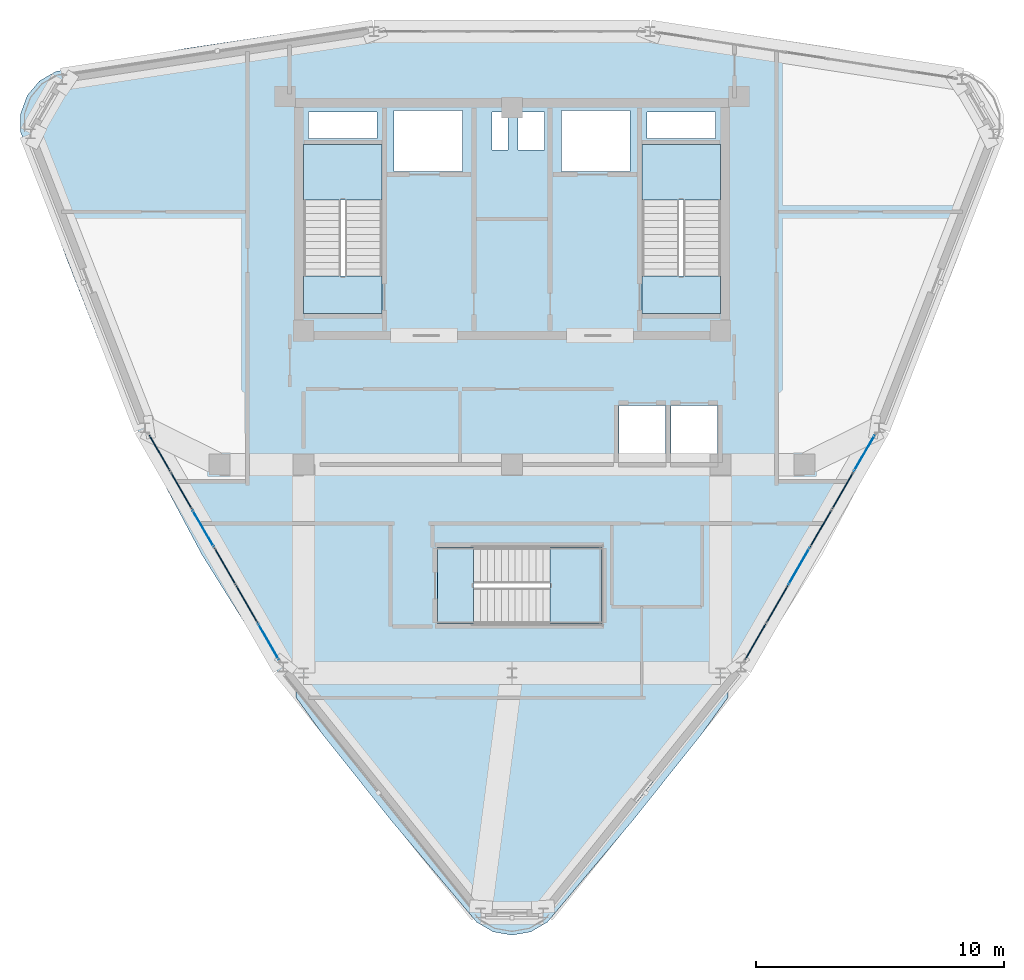
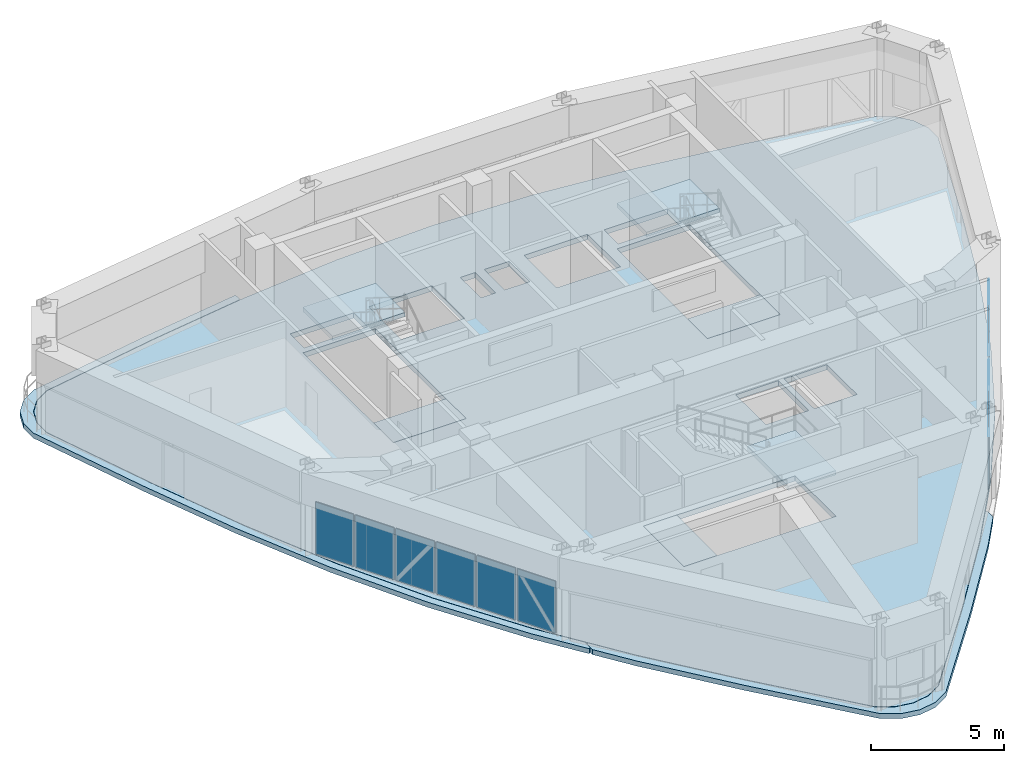
# One storey, part 11 of 17: 12 plates, 9 slabs, 5 elements without a shape of their own.
"""IFC4 building model written with IfcOpenShell, lengths in metres."""

from ifc_helpers import new_model, si_unit, derived_unit, direction, frame, origin, origin_2d, place, context, subcontext, project, spatial, polyline, rectangle, outline, extrude, source, transform, mapped, material, layer, layer_set, type_object, element, aggregate, save


model = new_model("IFC4")

# Units and contexts
model_context = context("Model", 3, precision=1e-05, world=origin(), true_north=direction((0.0, 1.0)))
body_context = subcontext(model_context, "Body", "Model", "MODEL_VIEW")
ifc_project = project(units=[si_unit("LENGTHUNIT", "METRE"), si_unit("AREAUNIT", "SQUARE_METRE"), si_unit("VOLUMEUNIT", "CUBIC_METRE"), si_unit("PLANEANGLEUNIT", "RADIAN"), si_unit("MASSUNIT", "GRAM", prefix="KILO"), derived_unit("THERMALTRANSMITTANCEUNIT", [(si_unit("POWERUNIT", "WATT"), 1), (si_unit("LENGTHUNIT", "METRE"), -2), (si_unit("THERMODYNAMICTEMPERATUREUNIT", "KELVIN"), -1)])], contexts=[model_context])

# Site, building, storey
site_placement = place(None, origin())
site = spatial("IfcSite", under=ifc_project, at=site_placement, CompositionType="ELEMENT")
building_placement = place(site_placement, origin())
building = spatial("IfcBuilding", under=site, at=building_placement, Name="Korsvarv Bourse and Concert Hall", CompositionType="ELEMENT")
storey_placement = place(building_placement, frame((0.0, 0.0, 279.60009765625)))
storey = spatial("IfcBuildingStorey", under=building, at=storey_placement, Name="L73", CompositionType="ELEMENT", Elevation=279.60009765625)

# Slabs
ifc_material_1 = material(Name="Precast concrete C45/55", Category="concrete")
ifc_layer_1 = layer(ifc_material_1, 0.199951171875)
ifc_layer_set_1 = layer_set([ifc_layer_1], Name="Precast concrete C45/55")
slab_type_1 = type_object("IfcSlabType", Name="SLB-FLND-T", PredefinedType="LANDING", material=ifc_layer_set_1)
slab_1_placement = place(storey_placement, frame((0.0, 0.0, -0.2001953125)))
element("IfcSlab", 1, at=slab_1_placement, inside=storey, type_object=slab_type_1, Name="L73 Stair ST-T1 Floor Landing Slab", PredefinedType="LANDING", context=body_context, shape_type="SweptSolid", body=[
    extrude(outline(polyline([(30.760009765625, 38.5), (30.760009765625, 40.0), (27.60009765625, 40.0), (27.60009765625, 38.5), (30.760009765625, 38.5)])), origin(), (0.0, 0.0, 1.0), 0.2001953125),
])
slab_2_placement = place(storey_placement, frame((0.0, 0.0, -0.2001953125)))
element("IfcSlab", 2, at=slab_2_placement, inside=storey, type_object=slab_type_1, Name="L73 Stair ST-T2 Floor Landing Slab", PredefinedType="LANDING", context=body_context, shape_type="SweptSolid", body=[
    extrude(outline(polyline([(44.39990234375, 38.5), (44.39990234375, 40.0), (41.239990234375, 40.0), (41.239990234375, 38.5), (44.39990234375, 38.5)])), origin(), (0.0, 0.0, 1.0), 0.2001953125),
])
slab_3_placement = place(storey_placement, frame((0.0, 0.0, -0.2001953125)))
element("IfcSlab", 3, at=slab_3_placement, inside=storey, type_object=slab_type_1, Name="L73 Stair ST-LK1 Floor Landing Slab", PredefinedType="LANDING", context=body_context, shape_type="SweptSolid", body=[
    extrude(outline(polyline([(33.0, 26.0), (34.449951171875, 26.0), (34.449951171875, 29.06005859375), (33.0, 29.06005859375), (33.0, 26.0)])), origin(), (0.0, 0.0, 1.0), 0.2001953125),
])
ifc_material_2 = material(Name="Concrete C45/55", Category="concrete")
ifc_layer_2 = layer(ifc_material_2, 0.239990234375)
ifc_layer_set_2 = layer_set([ifc_layer_2], Name="Concrete C45/55")
slab_type_2 = type_object("IfcSlabType", Name="SLB-LKT", PredefinedType="FLOOR", material=ifc_layer_set_2)
slab_4_placement = place(storey_placement, frame((0.0, 0.0, -0.239990234375)))
element("IfcSlab", 4, at=slab_4_placement, inside=storey, type_object=slab_type_2, Name="L73 tower structural floor slab", PredefinedType="FLOOR", context=body_context, shape_type="SweptSolid", body=[
    extrude(outline(polyline([(55.04150390625, 44.739990234375), (53.55126953125, 40.6357421875), (51.968505859375, 36.60986328125), (50.208251953125, 32.705810546875), (48.212158203125, 28.94921875), (45.956787109375, 25.34228515625), (43.456298828125, 21.865966796875), (40.760986328125, 18.482177734375), (37.951416015625, 15.138916015625), (37.374267578125, 14.451416015625), (36.731201171875, 14.080078125), (36.0, 13.951171875), (35.268798828125, 14.080078125), (34.625732421875, 14.451416015625), (34.04833984375, 15.139404296875), (31.239013671875, 18.482177734375), (28.543701171875, 21.865966796875), (26.043212890625, 25.34228515625), (23.787841796875, 28.94921875), (21.791748046875, 32.705810546875), (20.031494140625, 36.60986328125), (18.44873046875, 40.6357421875), (16.9580078125, 44.74072265625), (16.651123046875, 45.584228515625), (16.651123046875, 46.32666015625), (16.905029296875, 47.0244140625), (17.38232421875, 47.59326171875), (18.025390625, 47.964599609375), (18.91015625, 48.12060546875), (23.209716796875, 48.882080078125), (27.487548828125, 49.524169921875), (31.748779296875, 49.95166015625), (36.0, 50.1015625), (40.251220703125, 49.95166015625), (44.512451171875, 49.524169921875), (48.790283203125, 48.882080078125), (53.090576171875, 48.120361328125), (53.974609375, 47.964599609375), (54.61767578125, 47.59326171875), (55.094970703125, 47.0244140625), (55.348876953125, 46.32666015625), (55.348876953125, 45.584228515625), (55.04150390625, 44.739990234375)]), holes=[polyline([(30.760009765625, 38.5), (30.760009765625, 45.300048828125), (27.60009765625, 45.300048828125), (27.60009765625, 38.5), (30.760009765625, 38.5)]), polyline([(44.39990234375, 38.5), (44.39990234375, 45.300048828125), (41.239990234375, 45.300048828125), (41.239990234375, 38.5), (44.39990234375, 38.5)]), polyline([(33.0, 26.0), (39.60009765625, 26.0), (39.60009765625, 29.06005859375), (33.0, 29.06005859375), (33.0, 26.0)]), polyline([(31.239990234375, 44.219970703125), (34.0, 44.219970703125), (34.0, 46.679931640625), (31.239990234375, 46.679931640625), (31.239990234375, 44.219970703125)]), polyline([(38.0, 44.219970703125), (40.760009765625, 44.219970703125), (40.760009765625, 46.679931640625), (38.0, 46.679931640625), (38.0, 44.219970703125)]), polyline([(40.320068359375, 32.52001953125), (42.179931640625, 32.52001953125), (42.179931640625, 34.780029296875), (40.320068359375, 34.780029296875), (40.320068359375, 32.52001953125)]), polyline([(42.419921875, 32.52001953125), (44.280029296875, 32.52001953125), (44.280029296875, 34.780029296875), (42.419921875, 34.780029296875), (42.419921875, 32.52001953125)]), polyline([(27.800048828125, 45.56005859375), (30.56005859375, 45.56005859375), (30.56005859375, 46.6201171875), (27.800048828125, 46.6201171875), (27.800048828125, 45.56005859375)]), polyline([(41.43994140625, 45.56005859375), (44.199951171875, 45.56005859375), (44.199951171875, 46.6201171875), (41.43994140625, 46.6201171875), (41.43994140625, 45.56005859375)]), polyline([(35.199951171875, 45.080078125), (35.840087890625, 45.080078125), (35.840087890625, 46.6201171875), (35.199951171875, 46.6201171875), (35.199951171875, 45.080078125)]), polyline([(36.239990234375, 45.080078125), (37.320068359375, 45.080078125), (37.320068359375, 46.6201171875), (36.239990234375, 46.6201171875), (36.239990234375, 45.080078125)])]), origin(), (0.0, 0.0, 1.0), 0.239990234375),
])
ifc_layer_3 = layer(ifc_material_2, 0.22998046875)
ifc_layer_set_3 = layer_set([ifc_layer_3], Name="Concrete C45/55")
slab_type_3 = type_object("IfcSlabType", Name="SLB-SKY", PredefinedType="FLOOR", material=ifc_layer_set_3)
slab_5_placement = place(storey_placement, frame((0.0, 0.0, -0.22998046875)))
element("IfcSlab", 5, at=slab_5_placement, inside=storey, type_object=slab_type_3, Name="L73 Crescent Sky Garden Terrace 1", PredefinedType="FLOOR", context=body_context, shape_type="SweptSolid", body=[
    extrude(outline(polyline([(16.6416015625, 45.580810546875), (16.641845703125, 45.580078125), (16.94873046875, 44.7373046875), (18.439208984375, 40.632568359375), (18.439208984375, 40.63232421875), (18.439453125, 40.6318359375), (20.02197265625, 36.6064453125), (20.022216796875, 36.60595703125), (20.022705078125, 36.605224609375), (21.782470703125, 32.702392578125), (21.78271484375, 32.701416015625), (21.783203125, 32.70068359375), (23.77880859375, 28.945068359375), (23.779052734375, 28.9443359375), (23.779541015625, 28.943603515625), (26.034423828125, 25.33740234375), (26.034912109375, 25.3369140625), (26.035400390625, 25.336181640625), (27.288818359375, 23.593505859375), (27.2919921875, 23.58837890625), (27.294921875, 23.582763671875), (27.297119140625, 23.576904296875), (27.298583984375, 23.57080078125), (27.2998046875, 23.564697265625), (27.300048828125, 23.55859375), (27.300048828125, 23.194580078125), (27.2998046875, 23.188720703125), (27.298828125, 23.18310546875), (27.297607421875, 23.177490234375), (27.295654296875, 23.171875), (27.293212890625, 23.16650390625), (27.290283203125, 23.16162109375), (27.28662109375, 23.156982421875), (27.282958984375, 23.152587890625), (27.278564453125, 23.148681640625), (27.27392578125, 23.14501953125), (27.26904296875, 23.14208984375), (27.263916015625, 23.139404296875), (27.25830078125, 23.137451171875), (27.252685546875, 23.135986328125), (27.2470703125, 23.135009765625), (27.2412109375, 23.134521484375), (27.235595703125, 23.134765625), (27.229736328125, 23.135498046875), (27.22412109375, 23.13671875), (27.218505859375, 23.138671875), (27.213134765625, 23.140869140625), (27.2080078125, 23.143798828125), (27.203369140625, 23.147216796875), (27.198974609375, 23.15087890625), (27.19482421875, 23.155029296875), (27.19140625, 23.159423828125), (25.802978515625, 25.089111328125), (25.801025390625, 25.09228515625), (23.49609375, 28.778564453125), (23.494140625, 28.7822265625), (21.454345703125, 32.62109375), (21.45263671875, 32.62451171875), (19.653564453125, 36.614501953125), (19.652587890625, 36.6171875), (18.034423828125, 40.732666015625), (18.033935546875, 40.734130859375), (16.510009765625, 44.930908203125), (16.198486328125, 45.787109375), (16.19677734375, 45.7919921875), (16.19580078125, 45.797119140625), (16.195068359375, 45.80224609375), (16.19482421875, 45.8076171875), (16.19482421875, 46.552490234375), (16.195068359375, 46.5576171875), (16.19580078125, 46.56298828125), (16.19677734375, 46.568115234375), (16.198486328125, 46.572998046875), (16.453369140625, 47.273193359375), (16.455322265625, 47.278076171875), (16.457763671875, 47.28271484375), (16.46044921875, 47.287109375), (16.463623046875, 47.291259765625), (16.942626953125, 47.862060546875), (16.946044921875, 47.865966796875), (16.949951171875, 47.869384765625), (16.9541015625, 47.872802734375), (16.95849609375, 47.87548828125), (17.60400390625, 48.248046875), (17.608642578125, 48.25048828125), (17.61328125, 48.25244140625), (17.618408203125, 48.25390625), (17.62353515625, 48.255126953125), (18.521240234375, 48.41357421875), (22.9169921875, 49.192138671875), (22.918701171875, 49.1923828125), (27.231201171875, 49.839599609375), (27.23681640625, 49.84033203125), (27.242431640625, 49.84033203125), (27.248291015625, 49.83984375), (27.25390625, 49.838623046875), (27.259521484375, 49.837158203125), (27.2646484375, 49.8349609375), (27.269775390625, 49.83251953125), (27.274658203125, 49.829345703125), (27.279296875, 49.82568359375), (27.283203125, 49.822021484375), (27.287109375, 49.8173828125), (27.290283203125, 49.81298828125), (27.293212890625, 49.807861328125), (27.295654296875, 49.802734375), (27.297607421875, 49.79736328125), (27.298828125, 49.791748046875), (27.2998046875, 49.7861328125), (27.300048828125, 49.7802734375), (27.300048828125, 49.557861328125), (27.2998046875, 49.5517578125), (27.298828125, 49.5458984375), (27.297119140625, 49.539794921875), (27.295166015625, 49.5341796875), (27.29248046875, 49.52880859375), (27.289306640625, 49.5234375), (27.285400390625, 49.518798828125), (27.28125, 49.514404296875), (27.276611328125, 49.51025390625), (27.271484375, 49.5068359375), (27.266357421875, 49.50390625), (27.2607421875, 49.50146484375), (27.2548828125, 49.499755859375), (27.248779296875, 49.49853515625), (23.208251953125, 48.891845703125), (23.2080078125, 48.891845703125), (23.20751953125, 48.891845703125), (18.908447265625, 48.13037109375), (18.0244140625, 47.974609375), (18.023681640625, 47.974365234375), (18.0224609375, 47.97412109375), (18.021484375, 47.9736328125), (18.020263671875, 47.97314453125), (18.019775390625, 47.972900390625), (17.3779296875, 47.602294921875), (17.37744140625, 47.60205078125), (17.376220703125, 47.601318359375), (17.375732421875, 47.6005859375), (17.374755859375, 47.599609375), (17.374267578125, 47.59912109375), (16.897705078125, 47.03125), (16.8974609375, 47.031005859375), (16.896728515625, 47.02978515625), (16.896240234375, 47.029052734375), (16.8955078125, 47.02783203125), (16.8955078125, 47.027099609375), (16.641845703125, 46.330810546875), (16.6416015625, 46.330078125), (16.641357421875, 46.328857421875), (16.64111328125, 46.327880859375), (16.64111328125, 46.32666015625), (16.64111328125, 46.326171875), (16.64111328125, 45.584716796875), (16.64111328125, 45.584228515625), (16.64111328125, 45.5830078125), (16.641357421875, 45.58203125), (16.6416015625, 45.580810546875)])), origin(), (0.0, 0.0, 1.0), 0.22998046875),
])
slab_6_placement = place(storey_placement, frame((0.0, 0.0, -0.22998046875)))
element("IfcSlab", 6, at=slab_6_placement, inside=storey, type_object=slab_type_3, Name="L73 Crescent Sky Garden Terrace 3", PredefinedType="FLOOR", context=body_context, shape_type="SweptSolid", body=[
    extrude(outline(polyline([(34.61962890625, 14.443359375), (34.620849609375, 14.442626953125), (34.621337890625, 14.4423828125), (35.26318359375, 14.07177734375), (35.263671875, 14.0712890625), (35.264892578125, 14.07080078125), (35.265625, 14.070556640625), (35.26708984375, 14.070068359375), (35.267578125, 14.070068359375), (35.99755859375, 13.94140625), (35.998291015625, 13.941162109375), (35.99951171875, 13.941162109375), (36.00048828125, 13.941162109375), (36.001708984375, 13.941162109375), (36.00244140625, 13.94140625), (36.732421875, 14.070068359375), (36.73291015625, 14.070068359375), (36.734375, 14.070556640625), (36.735107421875, 14.07080078125), (36.736328125, 14.0712890625), (36.73681640625, 14.07177734375), (37.378662109375, 14.4423828125), (37.379150390625, 14.442626953125), (37.38037109375, 14.443359375), (37.381103515625, 14.444091796875), (37.382080078125, 14.44482421875), (37.38232421875, 14.4453125), (37.958984375, 15.132568359375), (40.768310546875, 18.4755859375), (40.7685546875, 18.475830078125), (40.768798828125, 18.476318359375), (43.4638671875, 21.859375), (43.464111328125, 21.859619140625), (43.464599609375, 21.8603515625), (44.59130859375, 23.4267578125), (44.594970703125, 23.431396484375), (44.598876953125, 23.435546875), (44.603515625, 23.439208984375), (44.608154296875, 23.442626953125), (44.61328125, 23.4453125), (44.618408203125, 23.44775390625), (44.6240234375, 23.44970703125), (44.629638671875, 23.45068359375), (44.635498046875, 23.451416015625), (44.641357421875, 23.45166015625), (44.647216796875, 23.451416015625), (44.65283203125, 23.4501953125), (44.658447265625, 23.44873046875), (44.663818359375, 23.44677734375), (44.669189453125, 23.444091796875), (44.674072265625, 23.441162109375), (44.6787109375, 23.4375), (44.682861328125, 23.43359375), (44.686767578125, 23.42919921875), (44.690185546875, 23.4248046875), (44.693115234375, 23.419677734375), (44.695556640625, 23.414306640625), (44.697509765625, 23.408935546875), (44.698974609375, 23.4033203125), (44.69970703125, 23.3974609375), (44.699951171875, 23.3916015625), (44.699951171875, 23.02783203125), (44.69970703125, 23.021484375), (44.69873046875, 23.015380859375), (44.697021484375, 23.009521484375), (44.69482421875, 23.00341796875), (44.692138671875, 22.998046875), (44.688720703125, 22.99267578125), (43.64111328125, 21.536376953125), (43.639404296875, 21.533935546875), (40.88427734375, 18.0751953125), (40.88330078125, 18.073974609375), (38.010498046875, 14.65576171875), (37.425048828125, 13.9580078125), (37.42138671875, 13.9541015625), (37.41748046875, 13.950439453125), (37.41357421875, 13.947265625), (37.408935546875, 13.944580078125), (36.763916015625, 13.572021484375), (36.75927734375, 13.569580078125), (36.75439453125, 13.567626953125), (36.74951171875, 13.56591796875), (36.744384765625, 13.56494140625), (36.010498046875, 13.435302734375), (36.005126953125, 13.434814453125), (36.0, 13.4345703125), (35.994873046875, 13.434814453125), (35.989501953125, 13.435302734375), (35.255615234375, 13.56494140625), (35.25048828125, 13.56591796875), (35.24560546875, 13.567626953125), (35.24072265625, 13.569580078125), (35.236083984375, 13.572021484375), (34.591064453125, 13.944580078125), (34.58642578125, 13.947265625), (34.58251953125, 13.950439453125), (34.57861328125, 13.9541015625), (34.574951171875, 13.9580078125), (33.989013671875, 14.65625), (31.11669921875, 18.073974609375), (31.11572265625, 18.0751953125), (28.360595703125, 21.533935546875), (28.35888671875, 21.536376953125), (27.311279296875, 22.99267578125), (27.307861328125, 22.998046875), (27.30517578125, 23.00341796875), (27.302978515625, 23.009521484375), (27.30126953125, 23.015380859375), (27.30029296875, 23.021484375), (27.300048828125, 23.02783203125), (27.300048828125, 23.3916015625), (27.30029296875, 23.3974609375), (27.301025390625, 23.4033203125), (27.302490234375, 23.408935546875), (27.304443359375, 23.414306640625), (27.306884765625, 23.419677734375), (27.309814453125, 23.4248046875), (27.313232421875, 23.42919921875), (27.317138671875, 23.43359375), (27.3212890625, 23.4375), (27.325927734375, 23.441162109375), (27.330810546875, 23.444091796875), (27.336181640625, 23.44677734375), (27.341552734375, 23.44873046875), (27.34716796875, 23.4501953125), (27.352783203125, 23.451416015625), (27.358642578125, 23.45166015625), (27.364501953125, 23.451416015625), (27.370361328125, 23.45068359375), (27.3759765625, 23.44970703125), (27.381591796875, 23.44775390625), (27.38671875, 23.4453125), (27.391845703125, 23.442626953125), (27.396484375, 23.439208984375), (27.401123046875, 23.435546875), (27.405029296875, 23.431396484375), (27.40869140625, 23.4267578125), (28.535400390625, 21.8603515625), (28.53564453125, 21.860107421875), (28.5361328125, 21.859375), (31.231201171875, 18.47607421875), (31.231201171875, 18.47607421875), (31.231689453125, 18.4755859375), (34.04052734375, 15.133056640625), (34.61767578125, 14.4453125), (34.617919921875, 14.44482421875), (34.618896484375, 14.444091796875), (34.61962890625, 14.443359375)])), origin(), (0.0, 0.0, 1.0), 0.22998046875),
])

# Stair, slab
stair_type_1 = type_object("IfcStairType", Name="STR-TYPE-05", PredefinedType="HALF_TURN_STAIR", material=ifc_material_1)
stair_1_placement = place(storey_placement, origin())
stair_1 = element("IfcStair", 7, at=stair_1_placement, inside=storey, type_object=stair_type_1, Name="L73 Tower West Exit Stair ST-T1", PredefinedType="HALF_TURN_STAIR")
ifc_layer_4 = layer(ifc_material_1, 0.199951171875)
ifc_layer_set_4 = layer_set([ifc_layer_4], Name="Precast concrete C45/55")
slab_type_4 = type_object("IfcSlabType", Name="SLB-ST-LND", PredefinedType="LANDING", material=ifc_layer_set_4)
slab_7_placement = place(storey_placement, frame((0.0, 0.0, 1.89990234375)))
slab_7 = element("IfcSlab", 8, at=slab_7_placement, type_object=slab_type_4, Name="ST-T1 landing 1", PredefinedType="LANDING", context=body_context, shape_type="SweptSolid", body=[
    extrude(outline(polyline([(30.760009765625, 43.080078125), (30.760009765625, 45.300048828125), (27.60009765625, 45.300048828125), (27.60009765625, 43.080078125), (30.760009765625, 43.080078125)])), origin(), (0.0, 0.0, 1.0), 0.199951171875),
])
aggregate(stair_1, [slab_7])

stair_2_placement = place(storey_placement, origin())
stair_2 = element("IfcStair", 9, at=stair_2_placement, inside=storey, type_object=stair_type_1, Name="L73 Tower East Exit Stair ST-T2", PredefinedType="HALF_TURN_STAIR")
slab_8_placement = place(storey_placement, frame((0.0, 0.0, 1.89990234375)))
slab_8 = element("IfcSlab", 10, at=slab_8_placement, type_object=slab_type_4, Name="ST-T2 landing 1", PredefinedType="LANDING", context=body_context, shape_type="SweptSolid", body=[
    extrude(outline(polyline([(44.39990234375, 43.080078125), (44.39990234375, 45.300048828125), (41.239990234375, 45.300048828125), (41.239990234375, 43.080078125), (44.39990234375, 43.080078125)])), origin(), (0.0, 0.0, 1.0), 0.199951171875),
])
aggregate(stair_2, [slab_8])

stair_type_2 = type_object("IfcStairType", Name="STR-TYPE-08", PredefinedType="HALF_TURN_STAIR", material=ifc_material_1)
stair_3_placement = place(storey_placement, origin())
stair_3 = element("IfcStair", 11, at=stair_3_placement, inside=storey, type_object=stair_type_2, Name="L73 Public Lookout Feature Stair ST-LK1", PredefinedType="HALF_TURN_STAIR")
slab_9_placement = place(storey_placement, frame((0.0, 0.0, 1.89990234375)))
slab_9 = element("IfcSlab", 12, at=slab_9_placement, type_object=slab_type_4, Name="ST-LK1 landing 1", PredefinedType="LANDING", context=body_context, shape_type="SweptSolid", body=[
    extrude(outline(polyline([(37.530029296875, 26.0), (39.60009765625, 26.0), (39.60009765625, 29.06005859375), (37.530029296875, 29.06005859375), (37.530029296875, 26.0)])), origin(), (0.0, 0.0, 1.0), 0.199951171875),
])
aggregate(stair_3, [slab_9])

# Curtain wall, plate
ifc_material_3 = material(Name="Anodised aluminium and triple low-E glazing", Category="glass")
ifc_layer_5 = layer(ifc_material_3, 0.18994140625)
ifc_layer_set_5 = layer_set([ifc_layer_5], Name="Anodised aluminium and triple low-E glazing")
curtain_wall_type = type_object("IfcCurtainWallType", Name="CW-SYS-4", PredefinedType="NOTDEFINED", material=ifc_layer_set_5)
curtain_wall_1_placement = place(storey_placement, origin())
curtain_wall_1 = element("IfcCurtainWall", 13, at=curtain_wall_1_placement, inside=storey, type_object=curtain_wall_type, Name="L73 CW4 curtain wall CW-L73-F07", PredefinedType="NOTDEFINED")
ifc_material_4 = material(Name="Tempered triple insulated low-E architectural glass", Category="glass")
ifc_layer_6 = layer(ifc_material_4, 0.0419921875)
ifc_layer_set_6 = layer_set([ifc_layer_6], Name="Tempered triple insulated low-E architectural glass")
plate_type_1 = type_object("IfcPlateType", Name="CWP-VIS3", PredefinedType="CURTAIN_PANEL", material=ifc_layer_set_6)
shared_shape_1 = source(origin(), body_context, "Body", "SweptSolid", [
    extrude(rectangle(XDim=1.655517578125, YDim=0.0419921875, at=origin_2d()), origin(), (0.0, 0.0, 1.0), 2.389892578125),
])
plate_1_placement = place(storey_placement, frame((21.79833984375, 32.862548828125, 0.06494140625), z_axis=(0.0, 0.0, 1.0), x_axis=(0.499998078822, -0.866026512974, 0.0)))
plate_1 = element("IfcPlate", 14, at=plate_1_placement, type_object=plate_type_1, Name="CW4 faceted panel 1.1", PredefinedType="CURTAIN_PANEL", context=body_context, shape_type="MappedRepresentation", body=[
    mapped(shared_shape_1, transform((0.0, 0.0, 0.0), scale=1.0)),
])

curtain_wall_2_placement = place(storey_placement, origin())
curtain_wall_2 = element("IfcCurtainWall", 15, at=curtain_wall_2_placement, inside=storey, type_object=curtain_wall_type, Name="L73 CW4 curtain wall CW-L73-F11", PredefinedType="NOTDEFINED")
plate_2_placement = place(storey_placement, frame((45.818115234375, 25.269775390625, 0.06494140625), z_axis=(0.0, 0.0, 1.0), x_axis=(0.499998078822, 0.866026512974, 0.0)))
plate_2 = element("IfcPlate", 16, at=plate_2_placement, type_object=plate_type_1, Name="CW4 faceted panel 1.1", PredefinedType="CURTAIN_PANEL", context=body_context, shape_type="MappedRepresentation", body=[
    mapped(shared_shape_1, transform((0.0, 0.0, 0.0), scale=1.0)),
])

# Plate
shared_shape_2 = source(origin(), body_context, "Body", "SweptSolid", [
    extrude(rectangle(XDim=1.6904296875, YDim=0.0419921875, at=origin_2d()), origin(), (0.0, 0.0, 1.0), 2.389892578125),
])
plate_3_placement = place(storey_placement, frame((22.669677734375, 31.35302734375, 0.06494140625), z_axis=(0.0, 0.0, 1.0), x_axis=(0.499998078822, -0.866026512974, 0.0)))
plate_3 = element("IfcPlate", 17, at=plate_3_placement, type_object=plate_type_1, Name="CW4 faceted panel 2.1", PredefinedType="CURTAIN_PANEL", context=body_context, shape_type="MappedRepresentation", body=[
    mapped(shared_shape_2, transform((0.0, 0.0, 0.0), scale=1.0)),
])

plate_4_placement = place(storey_placement, frame((24.43017578125, 28.3037109375, 0.06494140625), z_axis=(0.0, 0.0, 1.0), x_axis=(0.499998078822, -0.866026512974, 0.0)))
plate_4 = element("IfcPlate", 18, at=plate_4_placement, type_object=plate_type_1, Name="CW4 faceted panel 4.1", PredefinedType="CURTAIN_PANEL", context=body_context, shape_type="MappedRepresentation", body=[
    mapped(shared_shape_2, transform((0.0, 0.0, 0.0), scale=1.0)),
])

plate_5_placement = place(storey_placement, frame((25.310546875, 26.779052734375, 0.06494140625), z_axis=(0.0, 0.0, 1.0), x_axis=(0.499998078822, -0.866026512974, 0.0)))
plate_5 = element("IfcPlate", 19, at=plate_5_placement, type_object=plate_type_1, Name="CW4 faceted panel 5.1", PredefinedType="CURTAIN_PANEL", context=body_context, shape_type="MappedRepresentation", body=[
    mapped(shared_shape_2, transform((0.0, 0.0, 0.0), scale=1.0)),
])

plate_6_placement = place(storey_placement, frame((46.689453125, 26.779052734375, 0.06494140625), z_axis=(0.0, 0.0, 1.0), x_axis=(0.499998078822, 0.866026512974, 0.0)))
plate_6 = element("IfcPlate", 20, at=plate_6_placement, type_object=plate_type_1, Name="CW4 faceted panel 2.1", PredefinedType="CURTAIN_PANEL", context=body_context, shape_type="MappedRepresentation", body=[
    mapped(shared_shape_2, transform((0.0, 0.0, 0.0), scale=1.0)),
])

plate_7_placement = place(storey_placement, frame((48.449951171875, 29.828369140625, 0.06494140625), z_axis=(0.0, 0.0, 1.0), x_axis=(0.499998078822, 0.866026512974, 0.0)))
plate_7 = element("IfcPlate", 21, at=plate_7_placement, type_object=plate_type_1, Name="CW4 faceted panel 4.1", PredefinedType="CURTAIN_PANEL", context=body_context, shape_type="MappedRepresentation", body=[
    mapped(shared_shape_2, transform((0.0, 0.0, 0.0), scale=1.0)),
])

plate_8_placement = place(storey_placement, frame((49.330322265625, 31.35302734375, 0.06494140625), z_axis=(0.0, 0.0, 1.0), x_axis=(0.499998078822, 0.866026512974, 0.0)))
plate_8 = element("IfcPlate", 22, at=plate_8_placement, type_object=plate_type_1, Name="CW4 faceted panel 5.1", PredefinedType="CURTAIN_PANEL", context=body_context, shape_type="MappedRepresentation", body=[
    mapped(shared_shape_2, transform((0.0, 0.0, 0.0), scale=1.0)),
])

ifc_material_5 = material(Name="Insulated spandrel glass", Category="glass")
ifc_layer_7 = layer(ifc_material_5, 0.031982421875)
ifc_layer_set_7 = layer_set([ifc_layer_7], Name="Insulated spandrel glass")
plate_type_2 = type_object("IfcPlateType", Name="CWP-SPD1", PredefinedType="CURTAIN_PANEL", material=ifc_layer_set_7)
shared_shape_3 = source(origin(), body_context, "Body", "SweptSolid", [
    extrude(rectangle(XDim=1.6904296875, YDim=0.031982421875, at=origin_2d()), origin(), (0.0, 0.0, 1.0), 2.389892578125),
])
plate_9_placement = place(storey_placement, frame((23.550048828125, 29.828369140625, 0.06494140625), z_axis=(0.0, 0.0, 1.0), x_axis=(0.499998078822, -0.866026512974, 0.0)))
plate_9 = element("IfcPlate", 23, at=plate_9_placement, type_object=plate_type_2, Name="CW4 spandrel shadow-box panel 3.1", PredefinedType="CURTAIN_PANEL", context=body_context, shape_type="MappedRepresentation", body=[
    mapped(shared_shape_3, transform((0.0, 0.0, 0.0), scale=1.0)),
])

plate_10_placement = place(storey_placement, frame((47.56982421875, 28.3037109375, 0.06494140625), z_axis=(0.0, 0.0, 1.0), x_axis=(0.499998078822, 0.866026512974, 0.0)))
plate_10 = element("IfcPlate", 24, at=plate_10_placement, type_object=plate_type_2, Name="CW4 spandrel shadow-box panel 3.1", PredefinedType="CURTAIN_PANEL", context=body_context, shape_type="MappedRepresentation", body=[
    mapped(shared_shape_3, transform((0.0, 0.0, 0.0), scale=1.0)),
])

shared_shape_4 = source(origin(), body_context, "Body", "SweptSolid", [
    extrude(rectangle(XDim=1.655517578125, YDim=0.031982421875, at=origin_2d()), origin(), (0.0, 0.0, 1.0), 2.389892578125),
])
plate_11_placement = place(storey_placement, frame((26.181884765625, 25.269775390625, 0.06494140625), z_axis=(0.0, 0.0, 1.0), x_axis=(0.499998078822, -0.866026512974, 0.0)))
plate_11 = element("IfcPlate", 25, at=plate_11_placement, type_object=plate_type_2, Name="CW4 spandrel shadow-box panel 6.1", PredefinedType="CURTAIN_PANEL", context=body_context, shape_type="MappedRepresentation", body=[
    mapped(shared_shape_4, transform((0.0, 0.0, 0.0), scale=1.0)),
])

aggregate(curtain_wall_1, [plate_1, plate_3, plate_9, plate_4, plate_5, plate_11])

plate_12_placement = place(storey_placement, frame((50.20166015625, 32.862548828125, 0.06494140625), z_axis=(0.0, 0.0, 1.0), x_axis=(0.499998078822, 0.866026512974, 0.0)))
plate_12 = element("IfcPlate", 26, at=plate_12_placement, type_object=plate_type_2, Name="CW4 spandrel shadow-box panel 6.1", PredefinedType="CURTAIN_PANEL", context=body_context, shape_type="MappedRepresentation", body=[
    mapped(shared_shape_4, transform((0.0, 0.0, 0.0), scale=1.0)),
])

aggregate(curtain_wall_2, [plate_2, plate_6, plate_10, plate_7, plate_8, plate_12])

save(model, "model.ifc")
